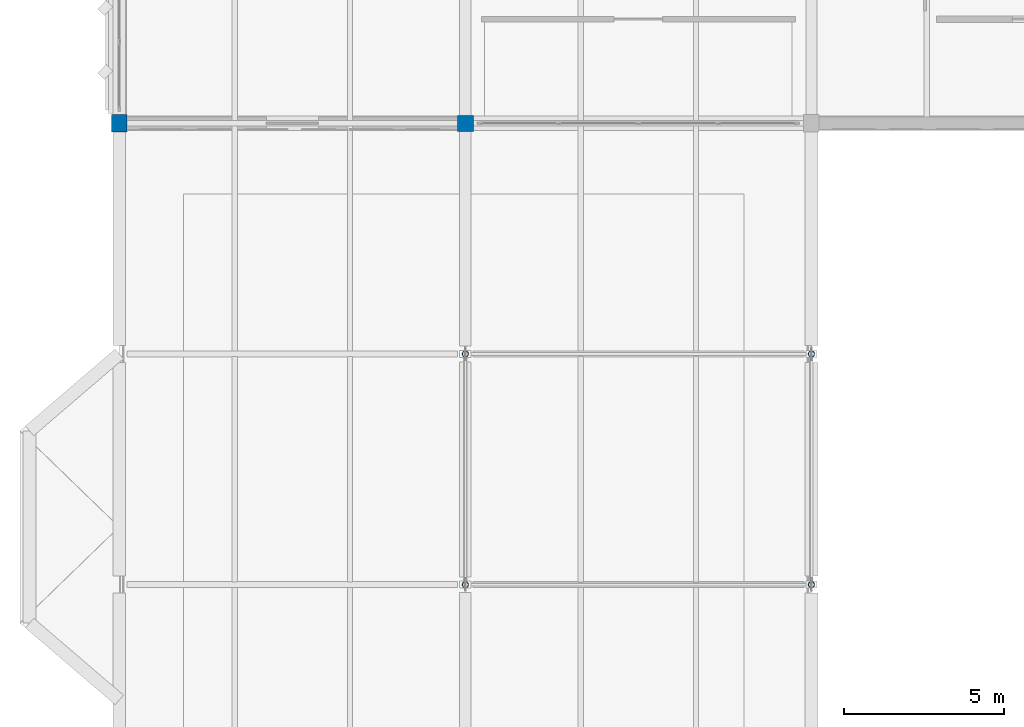
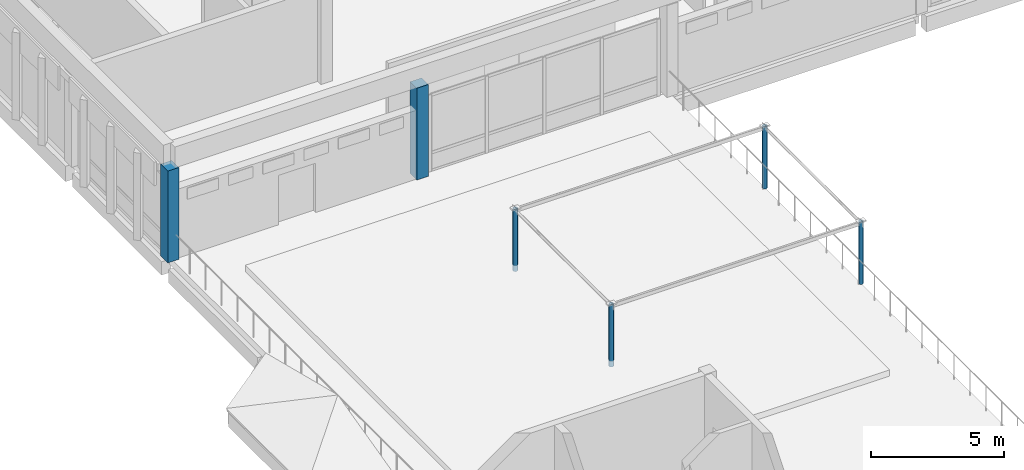
# One storey, part 3 of 33: 6 columns.
"""IFC4 building model written with IfcOpenShell, lengths in metres."""

from ifc_helpers import new_model, si_unit, direction, frame, origin, origin_2d, place, context, subcontext, project, spatial, rectangle, hollow_circle, extrude, material, material_profile, profile_set, type_object, element, save


model = new_model("IFC4")

# Units and contexts
model_context = context("Model", 3, precision=1e-05, world=origin(), true_north=direction((0.0, 1.0)))
body_context = subcontext(model_context, "Body", "Model", "MODEL_VIEW")
ifc_project = project(units=[si_unit("LENGTHUNIT", "METRE"), si_unit("AREAUNIT", "SQUARE_METRE"), si_unit("VOLUMEUNIT", "CUBIC_METRE"), si_unit("PLANEANGLEUNIT", "RADIAN"), si_unit("MASSUNIT", "GRAM", prefix="KILO")], contexts=[model_context])

# Site, building, storey
site_placement = place(None, origin())
site = spatial("IfcSite", under=ifc_project, at=site_placement, CompositionType="ELEMENT")
building_placement = place(site_placement, origin())
building = spatial("IfcBuilding", under=site, at=building_placement, Name="Lusvemor Sports Hall", CompositionType="ELEMENT")
storey_placement = place(building_placement, frame((0.0, 0.0, 19.199951171875)))
storey = spatial("IfcBuildingStorey", under=building, at=storey_placement, Name="L04", CompositionType="ELEMENT", Elevation=19.199951171875)

# Columns
ifc_material_1 = material(Name="Steel S355", Category="steel")
ifc_material_profile_1 = material_profile(ifc_material_1, hollow_circle(Radius=0.096923828125, WallThickness=0.010009765625, at=origin_2d()), Name="CHS193.7x10.0")
ifc_profile_set_1 = profile_set([ifc_material_profile_1], Name="Steel S355")
column_type_1 = type_object("IfcColumnType", Name="COL_STAIR_POST", PredefinedType="COLUMN", material=ifc_profile_set_1)
for number, where, z_axis, x_axis, name in (
    (1, (10.800048828125, 82.800048828125, 0.0), (0.0, 0.0, 1.0), (1.0, 0.0, 0.0), "Garden Pergola Column PERG-L04-WN-1A"),
    (2, (21.60009765625, 82.800048828125, 0.0), (0.0, 0.0, 1.0), (1.0, 0.0, 0.0), "Garden Pergola Column PERG-L04-WN-1B"),
    (3, (10.800048828125, 90.0, 0.0), (0.0, 0.0, 1.0), (1.0, 0.0, 0.0), "Garden Pergola Column PERG-L04-WN-2A"),
    (4, (21.60009765625, 90.0, 0.0), (0.0, 0.0, 1.0), (1.0, 0.0, 0.0), "Garden Pergola Column PERG-L04-WN-2B"),
):
    element("IfcColumn", number, at=place(storey_placement, frame(where, z_axis=z_axis, x_axis=x_axis)), inside=storey, type_object=column_type_1, Name=name, PredefinedType="COLUMN", context=body_context, shape_type="SweptSolid", body=[
        extrude(hollow_circle(Radius=0.096923828125, WallThickness=0.010009765625, at=origin_2d()), origin(), (0.0, 0.0, 1.0), 2.85009765625),
    ])
ifc_material_2 = material(Name="Concrete C40/50", Category="concrete")
ifc_material_profile_2 = material_profile(ifc_material_2, rectangle(XDim=0.47998046875, YDim=0.5400390625, at=origin_2d()), Name="RC480x540")
ifc_profile_set_2 = profile_set([ifc_material_profile_2], Name="Concrete C40/50")
column_type_2 = type_object("IfcColumnType", Name="COL_UPPER_E", PredefinedType="COLUMN", material=ifc_profile_set_2)
column_1_placement = place(storey_placement, frame((0.0, 97.199951171875, 0.0), z_axis=(0.0, 0.0, 1.0), x_axis=(1.0, 0.0, 0.0)))
element("IfcColumn", 5, at=column_1_placement, inside=storey, type_object=column_type_2, Name="Column 1/N (L04)", PredefinedType="COLUMN", context=body_context, shape_type="SweptSolid", body=[
    extrude(rectangle(XDim=0.47998046875, YDim=0.5400390625, at=origin_2d()), origin(), (0.0, 0.0, 1.0), 4.199951171875),
])
ifc_material_3 = material(Name="Concrete C40/50", Category="concrete")
ifc_material_profile_3 = material_profile(ifc_material_3, rectangle(XDim=0.5, YDim=0.5, at=origin_2d()), Name="RC500x500")
ifc_profile_set_3 = profile_set([ifc_material_profile_3], Name="Concrete C40/50")
column_type_3 = type_object("IfcColumnType", Name="COL_UPPER_I", PredefinedType="COLUMN", material=ifc_profile_set_3)
column_2_placement = place(storey_placement, frame((10.800048828125, 97.199951171875, 0.0), z_axis=(0.0, 0.0, 1.0), x_axis=(1.0, 0.0, 0.0)))
element("IfcColumn", 6, at=column_2_placement, inside=storey, type_object=column_type_3, Name="Column 2/N (L04)", PredefinedType="COLUMN", context=body_context, shape_type="SweptSolid", body=[
    extrude(rectangle(XDim=0.5, YDim=0.5, at=origin_2d()), origin(), (0.0, 0.0, 1.0), 4.199951171875),
])

save(model, "model.ifc")
